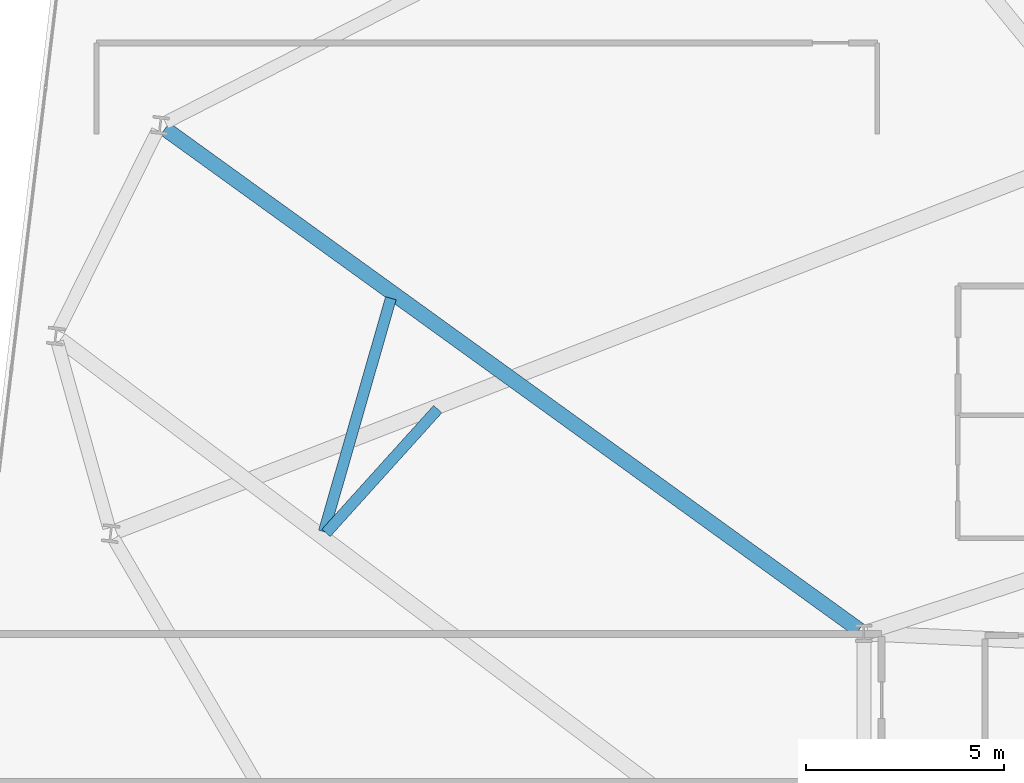
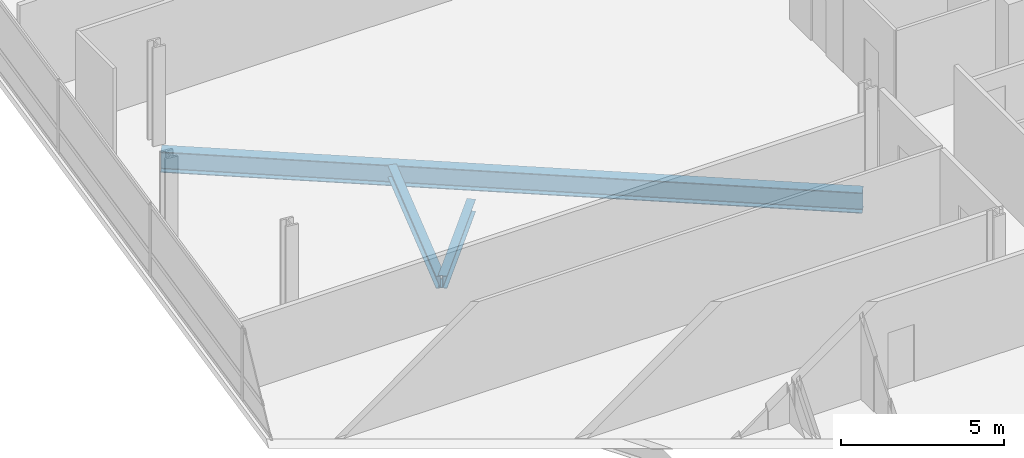
# One storey, part 9 of 26: 3 beams.
"""IFC4 building model written with IfcOpenShell, lengths in metres."""

from ifc_helpers import new_model, si_unit, direction, frame, origin, origin_2d, place, context, subcontext, project, spatial, i_section, extrude, material, material_profile, profile_set, type_object, element, save


model = new_model("IFC4")

# Units and contexts
model_context = context("Model", 3, precision=1e-05, world=origin(), true_north=direction((0.0, 1.0)))
body_context = subcontext(model_context, "Body", "Model", "MODEL_VIEW")
ifc_project = project(units=[si_unit("LENGTHUNIT", "METRE"), si_unit("AREAUNIT", "SQUARE_METRE"), si_unit("VOLUMEUNIT", "CUBIC_METRE"), si_unit("PLANEANGLEUNIT", "RADIAN"), si_unit("MASSUNIT", "GRAM", prefix="KILO")], contexts=[model_context])

# Site, building, storey
site_placement = place(None, origin())
site = spatial("IfcSite", under=ifc_project, at=site_placement, CompositionType="ELEMENT")
building_placement = place(site_placement, origin())
building = spatial("IfcBuilding", under=site, at=building_placement, Name="Varnelok Gate Tower", CompositionType="ELEMENT")
storey_placement = place(building_placement, frame((0.0, 0.0, 143.89990234375)))
storey = spatial("IfcBuildingStorey", under=building, at=storey_placement, Name="L36", CompositionType="ELEMENT", Elevation=143.89990234375)

# Beams
ifc_material = material(Name="Structural Steel ASTM A992 Grade 50", Category="steel")
ifc_material_profile_1 = material_profile(ifc_material, i_section(OverallWidth=0.280029296875, OverallDepth=0.462890625, WebThickness=0.0107421875, FlangeThickness=0.017333984375, FilletRadius=0.014892578125, at=origin_2d()), Name="W18X76")
ifc_profile_set_1 = profile_set([ifc_material_profile_1], Name="Structural Steel ASTM A992 Grade 50")
beam_type_1 = type_object("IfcBeamType", Name="BM-JST-W18X76", PredefinedType="JOIST", material=ifc_profile_set_1)
beam_1_placement = place(storey_placement, frame((12.440185546875, 35.152099609375, -0.4814453125), z_axis=(-0.275750135254, -0.961229349795, 0.0), x_axis=(0.961229349795, -0.275750135254, 0.0)))
element("IfcBeam", 1, at=beam_1_placement, inside=storey, type_object=beam_type_1, Name="L36 Sector Floor Joist 11", PredefinedType="JOIST", context=body_context, shape_type="SweptSolid", body=[
    extrude(i_section(OverallWidth=0.280029296875, OverallDepth=0.462890625, WebThickness=0.0107421875, FlangeThickness=0.017333984375, FilletRadius=0.014892578125, at=origin_2d()), origin(), (0.0, 0.0, 1.0), 6.140869140625),
])
beam_2_placement = place(storey_placement, frame((10.802001953125, 29.21875, -0.4814453125), z_axis=(0.669972308127, 0.74238608981, 0.0), x_axis=(-0.74238608981, 0.669972308127, 0.0)))
element("IfcBeam", 2, at=beam_2_placement, inside=storey, type_object=beam_type_1, Name="L36 Sector Floor Joist 12", PredefinedType="JOIST", context=body_context, shape_type="SweptSolid", body=[
    extrude(i_section(OverallWidth=0.280029296875, OverallDepth=0.462890625, WebThickness=0.0107421875, FlangeThickness=0.017333984375, FilletRadius=0.014892578125, at=origin_2d()), origin(), (0.0, 0.0, 1.0), 4.21435546875),
])
ifc_material_profile_2 = material_profile(ifc_material, i_section(OverallWidth=0.381103515625, OverallDepth=0.77294921875, WebThickness=0.0166015625, FlangeThickness=0.027099609375, FilletRadius=0.02197265625, at=origin_2d()), Name="W30X173")
ifc_profile_set_2 = profile_set([ifc_material_profile_2], Name="Structural Steel ASTM A992 Grade 50")
beam_type_2 = type_object("IfcBeamType", Name="BM-PRI-W30X173", PredefinedType="BEAM", material=ifc_profile_set_2)
beam_3_placement = place(storey_placement, frame((24.2783203125, 26.767822265625, -0.636474609375), z_axis=(-0.810778258155, 0.585353411286, 0.0), x_axis=(-0.585353411286, -0.810778258155, 0.0)))
element("IfcBeam", 3, at=beam_3_placement, inside=storey, type_object=beam_type_2, Name="L36 Radial Floor Girder 14", PredefinedType="BEAM", context=body_context, shape_type="SweptSolid", body=[
    extrude(i_section(OverallWidth=0.381103515625, OverallDepth=0.77294921875, WebThickness=0.0166015625, FlangeThickness=0.027099609375, FilletRadius=0.02197265625, at=origin_2d()), origin(), (0.0, 0.0, 1.0), 21.645263671875),
])

save(model, "model.ifc")
